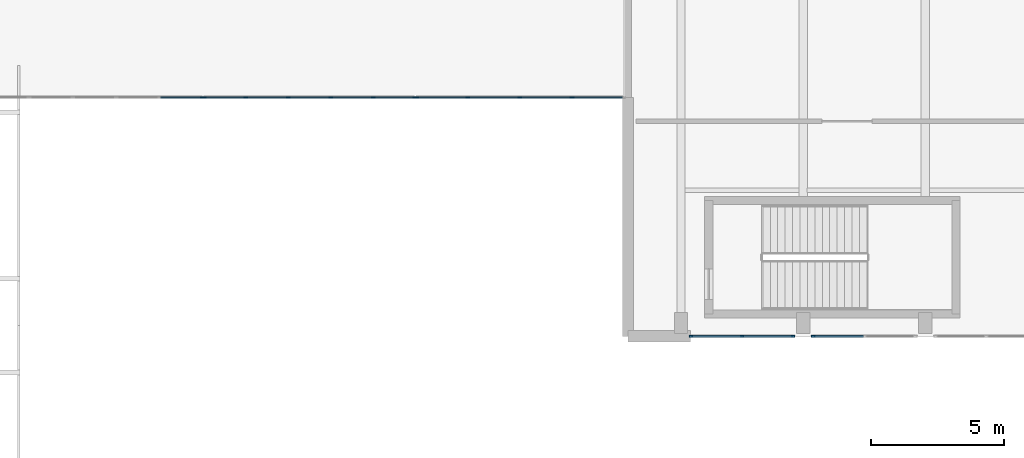
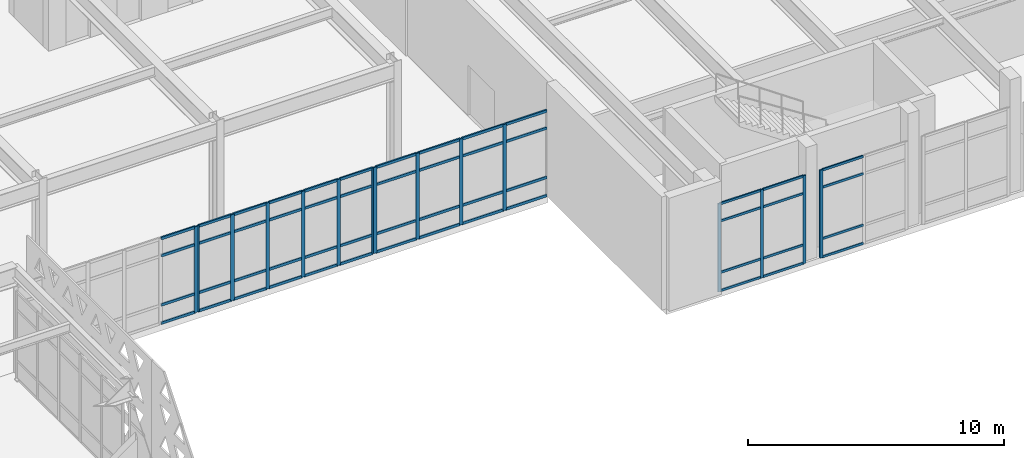
# One storey, part 37 of 84: 67 members, 5 elements without a shape of their own.
"""IFC4 building model written with IfcOpenShell, lengths in metres."""

from ifc_helpers import new_model, si_unit, direction, frame, origin, origin_2d, place, context, subcontext, project, spatial, rectangle, extrude, material, layer, layer_set, material_profile, profile_set, type_object, element, aggregate, save


model = new_model("IFC4")

# Units and contexts
model_context = context("Model", 3, precision=1e-05, world=origin(), true_north=direction((0.0, 1.0)))
body_context = subcontext(model_context, "Body", "Model", "MODEL_VIEW")
ifc_project = project(units=[si_unit("LENGTHUNIT", "METRE"), si_unit("AREAUNIT", "SQUARE_METRE"), si_unit("VOLUMEUNIT", "CUBIC_METRE"), si_unit("PLANEANGLEUNIT", "RADIAN"), si_unit("MASSUNIT", "GRAM", prefix="KILO")], contexts=[model_context])

# Site, building, storey
site_placement = place(None, origin())
site = spatial("IfcSite", under=ifc_project, at=site_placement, CompositionType="ELEMENT")
building_placement = place(site_placement, origin())
building = spatial("IfcBuilding", under=site, at=building_placement, Name="Tlacozan Convention Centre", CompositionType="ELEMENT")
storey_placement = place(building_placement, frame((0.0, 0.0, 6.0)))
storey = spatial("IfcBuildingStorey", under=building, at=storey_placement, Name="L01", CompositionType="ELEMENT", Elevation=6.0)

# Curtain wall, members
ifc_material = material(Name="Dark Bronze Anodised Aluminium", Category="aluminium")
ifc_layer_1 = layer(ifc_material, 0.139892578125)
ifc_layer_set_1 = layer_set([ifc_layer_1], Name="Dark Bronze Anodised Aluminium")
curtain_wall_type_1 = type_object("IfcCurtainWallType", Name="Plenary Foyer L01 Curtain Wall CW11", PredefinedType="NOTDEFINED", material=ifc_layer_set_1)
curtain_wall_1_placement = place(storey_placement, origin())
curtain_wall_1 = element("IfcCurtainWall", 1, at=curtain_wall_1_placement, inside=storey, type_object=curtain_wall_type_1, Name="L01 CW-11 Run 141", PredefinedType="NOTDEFINED")
ifc_material_profile_1 = material_profile(ifc_material, rectangle(XDim=0.06005859375, YDim=0.139892578125, at=origin_2d()), Name="ALU 60x140")
ifc_profile_set_1 = profile_set([ifc_material_profile_1], Name="Dark Bronze Anodised Aluminium")
member_type_1 = type_object("IfcMemberType", Name="Curtain Wall Light Mullion 60x140", PredefinedType="MULLION", material=ifc_profile_set_1)
member_1_placement = place(storey_placement, frame((146.3798828125, 18.0, 0.0), z_axis=(0.0, 0.0, 1.0), x_axis=(0.0, 1.0, 0.0)))
member_1 = element("IfcMember", 2, at=member_1_placement, type_object=member_type_1, Name="CW-11 mullion 1", PredefinedType="MULLION", context=body_context, shape_type="SweptSolid", body=[
    extrude(rectangle(XDim=0.06005859375, YDim=0.139892578125, at=origin_2d()), origin(), (0.0, 0.0, 1.0), 4.199951171875),
])
member_2_placement = place(storey_placement, frame((148.300048828125, 18.0, 0.0), z_axis=(0.0, 0.0, 1.0), x_axis=(0.0, 1.0, 0.0)))
member_2 = element("IfcMember", 3, at=member_2_placement, type_object=member_type_1, Name="CW-11 mullion 2", PredefinedType="MULLION", context=body_context, shape_type="SweptSolid", body=[
    extrude(rectangle(XDim=0.06005859375, YDim=0.139892578125, at=origin_2d()), origin(), (0.0, 0.0, 1.0), 4.199951171875),
])
member_3_placement = place(storey_placement, frame((150.219970703125, 18.0, 0.0), z_axis=(0.0, 0.0, 1.0), x_axis=(0.0, 1.0, 0.0)))
member_3 = element("IfcMember", 4, at=member_3_placement, type_object=member_type_1, Name="CW-11 mullion 3", PredefinedType="MULLION", context=body_context, shape_type="SweptSolid", body=[
    extrude(rectangle(XDim=0.06005859375, YDim=0.139892578125, at=origin_2d()), origin(), (0.0, 0.0, 1.0), 4.199951171875),
])

# Curtain wall, member
curtain_wall_2_placement = place(storey_placement, origin())
curtain_wall_2 = element("IfcCurtainWall", 5, at=curtain_wall_2_placement, inside=storey, type_object=curtain_wall_type_1, Name="L01 CW-11 Run 143", PredefinedType="NOTDEFINED")
member_4_placement = place(storey_placement, frame((150.97998046875, 18.0, 0.0), z_axis=(0.0, 0.0, 1.0), x_axis=(0.0, 1.0, 0.0)))
member_4 = element("IfcMember", 6, at=member_4_placement, type_object=member_type_1, Name="CW-11 mullion 1", PredefinedType="MULLION", context=body_context, shape_type="SweptSolid", body=[
    extrude(rectangle(XDim=0.06005859375, YDim=0.139892578125, at=origin_2d()), origin(), (0.0, 0.0, 1.0), 4.199951171875),
])

# Member
ifc_material_profile_2 = material_profile(ifc_material, rectangle(XDim=0.06005859375, YDim=0.110107421875, at=origin_2d()), Name="ALU 60x110")
ifc_profile_set_2 = profile_set([ifc_material_profile_2], Name="Dark Bronze Anodised Aluminium")
member_type_2 = type_object("IfcMemberType", Name="Curtain Wall Light Transom 60x110", PredefinedType="USERDEFINED", material=ifc_profile_set_2)
member_5_placement = place(storey_placement, frame((146.409912109375, 18.0, 0.030029296875), z_axis=(1.0, 0.0, 0.0), x_axis=(0.0, 1.0, 0.0)))
member_5 = element("IfcMember", 7, at=member_5_placement, type_object=member_type_2, Name="CW-11 transom 1.1", ObjectType="TRANSOM", PredefinedType="USERDEFINED", context=body_context, shape_type="SweptSolid", body=[
    extrude(rectangle(XDim=0.06005859375, YDim=0.110107421875, at=origin_2d()), origin(), (0.0, 0.0, 1.0), 1.860107421875),
])

member_6_placement = place(storey_placement, frame((146.409912109375, 18.0, 0.89990234375), z_axis=(1.0, 0.0, 0.0), x_axis=(0.0, 1.0, 0.0)))
member_6 = element("IfcMember", 8, at=member_6_placement, type_object=member_type_2, Name="CW-11 transom 1.2", ObjectType="TRANSOM", PredefinedType="USERDEFINED", context=body_context, shape_type="SweptSolid", body=[
    extrude(rectangle(XDim=0.06005859375, YDim=0.110107421875, at=origin_2d()), origin(), (0.0, 0.0, 1.0), 1.860107421875),
])

member_7_placement = place(storey_placement, frame((146.409912109375, 18.0, 3.35009765625), z_axis=(1.0, 0.0, 0.0), x_axis=(0.0, 1.0, 0.0)))
member_7 = element("IfcMember", 9, at=member_7_placement, type_object=member_type_2, Name="CW-11 transom 1.3", ObjectType="TRANSOM", PredefinedType="USERDEFINED", context=body_context, shape_type="SweptSolid", body=[
    extrude(rectangle(XDim=0.06005859375, YDim=0.110107421875, at=origin_2d()), origin(), (0.0, 0.0, 1.0), 1.860107421875),
])

member_8_placement = place(storey_placement, frame((146.409912109375, 18.0, 4.169921875), z_axis=(1.0, 0.0, 0.0), x_axis=(0.0, 1.0, 0.0)))
member_8 = element("IfcMember", 10, at=member_8_placement, type_object=member_type_2, Name="CW-11 transom 1.4", ObjectType="TRANSOM", PredefinedType="USERDEFINED", context=body_context, shape_type="SweptSolid", body=[
    extrude(rectangle(XDim=0.06005859375, YDim=0.110107421875, at=origin_2d()), origin(), (0.0, 0.0, 1.0), 1.860107421875),
])

member_9_placement = place(storey_placement, frame((148.330078125, 18.0, 0.030029296875), z_axis=(1.0, 0.0, 0.0), x_axis=(0.0, 1.0, 0.0)))
member_9 = element("IfcMember", 11, at=member_9_placement, type_object=member_type_2, Name="CW-11 transom 2.1", ObjectType="TRANSOM", PredefinedType="USERDEFINED", context=body_context, shape_type="SweptSolid", body=[
    extrude(rectangle(XDim=0.06005859375, YDim=0.110107421875, at=origin_2d()), origin(), (0.0, 0.0, 1.0), 1.85986328125),
])

member_10_placement = place(storey_placement, frame((148.330078125, 18.0, 0.89990234375), z_axis=(1.0, 0.0, 0.0), x_axis=(0.0, 1.0, 0.0)))
member_10 = element("IfcMember", 12, at=member_10_placement, type_object=member_type_2, Name="CW-11 transom 2.2", ObjectType="TRANSOM", PredefinedType="USERDEFINED", context=body_context, shape_type="SweptSolid", body=[
    extrude(rectangle(XDim=0.06005859375, YDim=0.110107421875, at=origin_2d()), origin(), (0.0, 0.0, 1.0), 1.85986328125),
])

member_11_placement = place(storey_placement, frame((148.330078125, 18.0, 3.35009765625), z_axis=(1.0, 0.0, 0.0), x_axis=(0.0, 1.0, 0.0)))
member_11 = element("IfcMember", 13, at=member_11_placement, type_object=member_type_2, Name="CW-11 transom 2.3", ObjectType="TRANSOM", PredefinedType="USERDEFINED", context=body_context, shape_type="SweptSolid", body=[
    extrude(rectangle(XDim=0.06005859375, YDim=0.110107421875, at=origin_2d()), origin(), (0.0, 0.0, 1.0), 1.85986328125),
])

member_12_placement = place(storey_placement, frame((148.330078125, 18.0, 4.169921875), z_axis=(1.0, 0.0, 0.0), x_axis=(0.0, 1.0, 0.0)))
member_12 = element("IfcMember", 14, at=member_12_placement, type_object=member_type_2, Name="CW-11 transom 2.4", ObjectType="TRANSOM", PredefinedType="USERDEFINED", context=body_context, shape_type="SweptSolid", body=[
    extrude(rectangle(XDim=0.06005859375, YDim=0.110107421875, at=origin_2d()), origin(), (0.0, 0.0, 1.0), 1.85986328125),
])

aggregate(curtain_wall_1, [member_1, member_2, member_3, member_5, member_6, member_7, member_8, member_9, member_10, member_11, member_12])

member_13_placement = place(storey_placement, frame((151.010009765625, 18.0, 0.030029296875), z_axis=(1.0, 0.0, 0.0), x_axis=(0.0, 1.0, 0.0)))
member_13 = element("IfcMember", 15, at=member_13_placement, type_object=member_type_2, Name="CW-11 transom 1.1", ObjectType="TRANSOM", PredefinedType="USERDEFINED", context=body_context, shape_type="SweptSolid", body=[
    extrude(rectangle(XDim=0.06005859375, YDim=0.110107421875, at=origin_2d()), origin(), (0.0, 0.0, 1.0), 1.860107421875),
])

member_14_placement = place(storey_placement, frame((151.010009765625, 18.0, 0.89990234375), z_axis=(1.0, 0.0, 0.0), x_axis=(0.0, 1.0, 0.0)))
member_14 = element("IfcMember", 16, at=member_14_placement, type_object=member_type_2, Name="CW-11 transom 1.2", ObjectType="TRANSOM", PredefinedType="USERDEFINED", context=body_context, shape_type="SweptSolid", body=[
    extrude(rectangle(XDim=0.06005859375, YDim=0.110107421875, at=origin_2d()), origin(), (0.0, 0.0, 1.0), 1.860107421875),
])

member_15_placement = place(storey_placement, frame((151.010009765625, 18.0, 3.35009765625), z_axis=(1.0, 0.0, 0.0), x_axis=(0.0, 1.0, 0.0)))
member_15 = element("IfcMember", 17, at=member_15_placement, type_object=member_type_2, Name="CW-11 transom 1.3", ObjectType="TRANSOM", PredefinedType="USERDEFINED", context=body_context, shape_type="SweptSolid", body=[
    extrude(rectangle(XDim=0.06005859375, YDim=0.110107421875, at=origin_2d()), origin(), (0.0, 0.0, 1.0), 1.860107421875),
])

member_16_placement = place(storey_placement, frame((151.010009765625, 18.0, 4.169921875), z_axis=(1.0, 0.0, 0.0), x_axis=(0.0, 1.0, 0.0)))
member_16 = element("IfcMember", 18, at=member_16_placement, type_object=member_type_2, Name="CW-11 transom 1.4", ObjectType="TRANSOM", PredefinedType="USERDEFINED", context=body_context, shape_type="SweptSolid", body=[
    extrude(rectangle(XDim=0.06005859375, YDim=0.110107421875, at=origin_2d()), origin(), (0.0, 0.0, 1.0), 1.860107421875),
])

aggregate(curtain_wall_2, [member_4, member_13, member_14, member_15, member_16])

# Curtain wall, member
ifc_layer_2 = layer(ifc_material, 0.199951171875)
ifc_layer_set_2 = layer_set([ifc_layer_2], Name="Dark Bronze Anodised Aluminium")
curtain_wall_type_2 = type_object("IfcCurtainWallType", Name="Unitised Ballroom Cloister L01 CW08", PredefinedType="NOTDEFINED", material=ifc_layer_set_2)
curtain_wall_3_placement = place(storey_placement, origin())
curtain_wall_3 = element("IfcCurtainWall", 19, at=curtain_wall_3_placement, inside=storey, type_object=curtain_wall_type_2, Name="L01 CW-08 Run 165", PredefinedType="NOTDEFINED")
ifc_material_profile_3 = material_profile(ifc_material, rectangle(XDim=0.06494140625, YDim=0.159912109375, at=origin_2d()), Name="ALU 65x160")
ifc_profile_set_3 = profile_set([ifc_material_profile_3], Name="Dark Bronze Anodised Aluminium")
member_type_3 = type_object("IfcMemberType", Name="Curtain Wall Mullion 65x160", PredefinedType="MULLION", material=ifc_profile_set_3)
member_17_placement = place(storey_placement, frame((127.967529296875, 27.0, 0.0), z_axis=(0.0, 0.0, 1.0), x_axis=(0.0, 1.0, 0.0)))
member_17 = element("IfcMember", 20, at=member_17_placement, type_object=member_type_3, Name="CW-08 mullion 6", PredefinedType="MULLION", context=body_context, shape_type="SweptSolid", body=[
    extrude(rectangle(XDim=0.06494140625, YDim=0.159912109375, at=origin_2d()), origin(), (0.0, 0.0, 1.0), 4.10009765625),
])

# Curtain wall, members
curtain_wall_4_placement = place(storey_placement, origin())
curtain_wall_4 = element("IfcCurtainWall", 21, at=curtain_wall_4_placement, inside=storey, type_object=curtain_wall_type_2, Name="L01 CW-08 Run 166", PredefinedType="NOTDEFINED")
member_18_placement = place(storey_placement, frame((128.032470703125, 27.0, 0.0), z_axis=(0.0, 0.0, 1.0), x_axis=(0.0, 1.0, 0.0)))
member_18 = element("IfcMember", 22, at=member_18_placement, type_object=member_type_3, Name="CW-08 mullion 1", PredefinedType="MULLION", context=body_context, shape_type="SweptSolid", body=[
    extrude(rectangle(XDim=0.06494140625, YDim=0.159912109375, at=origin_2d()), origin(), (0.0, 0.0, 1.0), 4.10009765625),
])
member_19_placement = place(storey_placement, frame((129.60009765625, 27.0, 0.0), z_axis=(0.0, 0.0, 1.0), x_axis=(0.0, 1.0, 0.0)))
member_19 = element("IfcMember", 23, at=member_19_placement, type_object=member_type_3, Name="CW-08 mullion 2", PredefinedType="MULLION", context=body_context, shape_type="SweptSolid", body=[
    extrude(rectangle(XDim=0.06494140625, YDim=0.159912109375, at=origin_2d()), origin(), (0.0, 0.0, 1.0), 4.10009765625),
])
member_20_placement = place(storey_placement, frame((131.199951171875, 27.0, 0.0), z_axis=(0.0, 0.0, 1.0), x_axis=(0.0, 1.0, 0.0)))
member_20 = element("IfcMember", 24, at=member_20_placement, type_object=member_type_3, Name="CW-08 mullion 3", PredefinedType="MULLION", context=body_context, shape_type="SweptSolid", body=[
    extrude(rectangle(XDim=0.06494140625, YDim=0.159912109375, at=origin_2d()), origin(), (0.0, 0.0, 1.0), 4.10009765625),
])
member_21_placement = place(storey_placement, frame((132.800048828125, 27.0, 0.0), z_axis=(0.0, 0.0, 1.0), x_axis=(0.0, 1.0, 0.0)))
member_21 = element("IfcMember", 25, at=member_21_placement, type_object=member_type_3, Name="CW-08 mullion 4", PredefinedType="MULLION", context=body_context, shape_type="SweptSolid", body=[
    extrude(rectangle(XDim=0.06494140625, YDim=0.159912109375, at=origin_2d()), origin(), (0.0, 0.0, 1.0), 4.10009765625),
])
member_22_placement = place(storey_placement, frame((134.39990234375, 27.0, 0.0), z_axis=(0.0, 0.0, 1.0), x_axis=(0.0, 1.0, 0.0)))
member_22 = element("IfcMember", 26, at=member_22_placement, type_object=member_type_3, Name="CW-08 mullion 5", PredefinedType="MULLION", context=body_context, shape_type="SweptSolid", body=[
    extrude(rectangle(XDim=0.06494140625, YDim=0.159912109375, at=origin_2d()), origin(), (0.0, 0.0, 1.0), 4.10009765625),
])
member_23_placement = place(storey_placement, frame((135.967529296875, 27.0, 0.0), z_axis=(0.0, 0.0, 1.0), x_axis=(0.0, 1.0, 0.0)))
member_23 = element("IfcMember", 27, at=member_23_placement, type_object=member_type_3, Name="CW-08 mullion 6", PredefinedType="MULLION", context=body_context, shape_type="SweptSolid", body=[
    extrude(rectangle(XDim=0.06494140625, YDim=0.159912109375, at=origin_2d()), origin(), (0.0, 0.0, 1.0), 4.10009765625),
])

curtain_wall_5_placement = place(storey_placement, origin())
curtain_wall_5 = element("IfcCurtainWall", 28, at=curtain_wall_5_placement, inside=storey, type_object=curtain_wall_type_2, Name="L01 CW-08 Run 167", PredefinedType="NOTDEFINED")
member_24_placement = place(storey_placement, frame((136.032470703125, 27.0, 0.0), z_axis=(0.0, 0.0, 1.0), x_axis=(0.0, 1.0, 0.0)))
member_24 = element("IfcMember", 29, at=member_24_placement, type_object=member_type_3, Name="CW-08 mullion 1", PredefinedType="MULLION", context=body_context, shape_type="SweptSolid", body=[
    extrude(rectangle(XDim=0.06494140625, YDim=0.159912109375, at=origin_2d()), origin(), (0.0, 0.0, 1.0), 4.10009765625),
])
member_25_placement = place(storey_placement, frame((137.96240234375, 27.0, 0.0), z_axis=(0.0, 0.0, 1.0), x_axis=(0.0, 1.0, 0.0)))
member_25 = element("IfcMember", 30, at=member_25_placement, type_object=member_type_3, Name="CW-08 mullion 2", PredefinedType="MULLION", context=body_context, shape_type="SweptSolid", body=[
    extrude(rectangle(XDim=0.06494140625, YDim=0.159912109375, at=origin_2d()), origin(), (0.0, 0.0, 1.0), 4.10009765625),
])
member_26_placement = place(storey_placement, frame((139.925048828125, 27.0, 0.0), z_axis=(0.0, 0.0, 1.0), x_axis=(0.0, 1.0, 0.0)))
member_26 = element("IfcMember", 31, at=member_26_placement, type_object=member_type_3, Name="CW-08 mullion 3", PredefinedType="MULLION", context=body_context, shape_type="SweptSolid", body=[
    extrude(rectangle(XDim=0.06494140625, YDim=0.159912109375, at=origin_2d()), origin(), (0.0, 0.0, 1.0), 4.10009765625),
])
member_27_placement = place(storey_placement, frame((141.887451171875, 27.0, 0.0), z_axis=(0.0, 0.0, 1.0), x_axis=(0.0, 1.0, 0.0)))
member_27 = element("IfcMember", 32, at=member_27_placement, type_object=member_type_3, Name="CW-08 mullion 4", PredefinedType="MULLION", context=body_context, shape_type="SweptSolid", body=[
    extrude(rectangle(XDim=0.06494140625, YDim=0.159912109375, at=origin_2d()), origin(), (0.0, 0.0, 1.0), 4.10009765625),
])

# Member
ifc_material_profile_4 = material_profile(ifc_material, rectangle(XDim=0.06494140625, YDim=0.125, at=origin_2d()), Name="ALU 65x125")
ifc_profile_set_4 = profile_set([ifc_material_profile_4], Name="Dark Bronze Anodised Aluminium")
member_type_4 = type_object("IfcMemberType", Name="Curtain Wall Transom 65x125", PredefinedType="USERDEFINED", material=ifc_profile_set_4)
member_28_placement = place(storey_placement, frame((126.392578125, 27.0, 0.032470703125), z_axis=(1.0, 0.0, 0.0), x_axis=(0.0, 1.0, 0.0)))
member_28 = element("IfcMember", 33, at=member_28_placement, type_object=member_type_4, Name="CW-08 transom 5.1", ObjectType="TRANSOM", PredefinedType="USERDEFINED", context=body_context, shape_type="SweptSolid", body=[
    extrude(rectangle(XDim=0.06494140625, YDim=0.125, at=origin_2d()), origin(), (0.0, 0.0, 1.0), 1.54248046875),
])

member_29_placement = place(storey_placement, frame((126.392578125, 27.0, 0.89990234375), z_axis=(1.0, 0.0, 0.0), x_axis=(0.0, 1.0, 0.0)))
member_29 = element("IfcMember", 34, at=member_29_placement, type_object=member_type_4, Name="CW-08 transom 5.2", ObjectType="TRANSOM", PredefinedType="USERDEFINED", context=body_context, shape_type="SweptSolid", body=[
    extrude(rectangle(XDim=0.06494140625, YDim=0.125, at=origin_2d()), origin(), (0.0, 0.0, 1.0), 1.54248046875),
])

member_30_placement = place(storey_placement, frame((126.392578125, 27.0, 3.25), z_axis=(1.0, 0.0, 0.0), x_axis=(0.0, 1.0, 0.0)))
member_30 = element("IfcMember", 35, at=member_30_placement, type_object=member_type_4, Name="CW-08 transom 5.3", ObjectType="TRANSOM", PredefinedType="USERDEFINED", context=body_context, shape_type="SweptSolid", body=[
    extrude(rectangle(XDim=0.06494140625, YDim=0.125, at=origin_2d()), origin(), (0.0, 0.0, 1.0), 1.54248046875),
])

member_31_placement = place(storey_placement, frame((126.392578125, 27.0, 4.0673828125), z_axis=(1.0, 0.0, 0.0), x_axis=(0.0, 1.0, 0.0)))
member_31 = element("IfcMember", 36, at=member_31_placement, type_object=member_type_4, Name="CW-08 transom 5.4", ObjectType="TRANSOM", PredefinedType="USERDEFINED", context=body_context, shape_type="SweptSolid", body=[
    extrude(rectangle(XDim=0.06494140625, YDim=0.125, at=origin_2d()), origin(), (0.0, 0.0, 1.0), 1.54248046875),
])

aggregate(curtain_wall_3, [member_17, member_28, member_29, member_30, member_31])

member_32_placement = place(storey_placement, frame((128.06494140625, 27.0, 0.032470703125), z_axis=(1.0, 0.0, 0.0), x_axis=(0.0, 1.0, 0.0)))
member_32 = element("IfcMember", 37, at=member_32_placement, type_object=member_type_4, Name="CW-08 transom 1.1", ObjectType="TRANSOM", PredefinedType="USERDEFINED", context=body_context, shape_type="SweptSolid", body=[
    extrude(rectangle(XDim=0.06494140625, YDim=0.125, at=origin_2d()), origin(), (0.0, 0.0, 1.0), 1.50244140625),
])

member_33_placement = place(storey_placement, frame((128.06494140625, 27.0, 0.89990234375), z_axis=(1.0, 0.0, 0.0), x_axis=(0.0, 1.0, 0.0)))
member_33 = element("IfcMember", 38, at=member_33_placement, type_object=member_type_4, Name="CW-08 transom 1.2", ObjectType="TRANSOM", PredefinedType="USERDEFINED", context=body_context, shape_type="SweptSolid", body=[
    extrude(rectangle(XDim=0.06494140625, YDim=0.125, at=origin_2d()), origin(), (0.0, 0.0, 1.0), 1.50244140625),
])

member_34_placement = place(storey_placement, frame((128.06494140625, 27.0, 3.25), z_axis=(1.0, 0.0, 0.0), x_axis=(0.0, 1.0, 0.0)))
member_34 = element("IfcMember", 39, at=member_34_placement, type_object=member_type_4, Name="CW-08 transom 1.3", ObjectType="TRANSOM", PredefinedType="USERDEFINED", context=body_context, shape_type="SweptSolid", body=[
    extrude(rectangle(XDim=0.06494140625, YDim=0.125, at=origin_2d()), origin(), (0.0, 0.0, 1.0), 1.50244140625),
])

member_35_placement = place(storey_placement, frame((128.06494140625, 27.0, 4.0673828125), z_axis=(1.0, 0.0, 0.0), x_axis=(0.0, 1.0, 0.0)))
member_35 = element("IfcMember", 40, at=member_35_placement, type_object=member_type_4, Name="CW-08 transom 1.4", ObjectType="TRANSOM", PredefinedType="USERDEFINED", context=body_context, shape_type="SweptSolid", body=[
    extrude(rectangle(XDim=0.06494140625, YDim=0.125, at=origin_2d()), origin(), (0.0, 0.0, 1.0), 1.50244140625),
])

member_36_placement = place(storey_placement, frame((129.632568359375, 27.0, 0.032470703125), z_axis=(1.0, 0.0, 0.0), x_axis=(0.0, 1.0, 0.0)))
member_36 = element("IfcMember", 41, at=member_36_placement, type_object=member_type_4, Name="CW-08 transom 2.1", ObjectType="TRANSOM", PredefinedType="USERDEFINED", context=body_context, shape_type="SweptSolid", body=[
    extrude(rectangle(XDim=0.06494140625, YDim=0.125, at=origin_2d()), origin(), (0.0, 0.0, 1.0), 1.534912109375),
])

member_37_placement = place(storey_placement, frame((129.632568359375, 27.0, 0.89990234375), z_axis=(1.0, 0.0, 0.0), x_axis=(0.0, 1.0, 0.0)))
member_37 = element("IfcMember", 42, at=member_37_placement, type_object=member_type_4, Name="CW-08 transom 2.2", ObjectType="TRANSOM", PredefinedType="USERDEFINED", context=body_context, shape_type="SweptSolid", body=[
    extrude(rectangle(XDim=0.06494140625, YDim=0.125, at=origin_2d()), origin(), (0.0, 0.0, 1.0), 1.534912109375),
])

member_38_placement = place(storey_placement, frame((129.632568359375, 27.0, 3.25), z_axis=(1.0, 0.0, 0.0), x_axis=(0.0, 1.0, 0.0)))
member_38 = element("IfcMember", 43, at=member_38_placement, type_object=member_type_4, Name="CW-08 transom 2.3", ObjectType="TRANSOM", PredefinedType="USERDEFINED", context=body_context, shape_type="SweptSolid", body=[
    extrude(rectangle(XDim=0.06494140625, YDim=0.125, at=origin_2d()), origin(), (0.0, 0.0, 1.0), 1.534912109375),
])

member_39_placement = place(storey_placement, frame((129.632568359375, 27.0, 4.0673828125), z_axis=(1.0, 0.0, 0.0), x_axis=(0.0, 1.0, 0.0)))
member_39 = element("IfcMember", 44, at=member_39_placement, type_object=member_type_4, Name="CW-08 transom 2.4", ObjectType="TRANSOM", PredefinedType="USERDEFINED", context=body_context, shape_type="SweptSolid", body=[
    extrude(rectangle(XDim=0.06494140625, YDim=0.125, at=origin_2d()), origin(), (0.0, 0.0, 1.0), 1.534912109375),
])

member_40_placement = place(storey_placement, frame((131.232421875, 27.0, 0.032470703125), z_axis=(1.0, 0.0, 0.0), x_axis=(0.0, 1.0, 0.0)))
member_40 = element("IfcMember", 45, at=member_40_placement, type_object=member_type_4, Name="CW-08 transom 3.1", ObjectType="TRANSOM", PredefinedType="USERDEFINED", context=body_context, shape_type="SweptSolid", body=[
    extrude(rectangle(XDim=0.06494140625, YDim=0.125, at=origin_2d()), origin(), (0.0, 0.0, 1.0), 1.53515625),
])

member_41_placement = place(storey_placement, frame((131.232421875, 27.0, 0.89990234375), z_axis=(1.0, 0.0, 0.0), x_axis=(0.0, 1.0, 0.0)))
member_41 = element("IfcMember", 46, at=member_41_placement, type_object=member_type_4, Name="CW-08 transom 3.2", ObjectType="TRANSOM", PredefinedType="USERDEFINED", context=body_context, shape_type="SweptSolid", body=[
    extrude(rectangle(XDim=0.06494140625, YDim=0.125, at=origin_2d()), origin(), (0.0, 0.0, 1.0), 1.53515625),
])

member_42_placement = place(storey_placement, frame((131.232421875, 27.0, 3.25), z_axis=(1.0, 0.0, 0.0), x_axis=(0.0, 1.0, 0.0)))
member_42 = element("IfcMember", 47, at=member_42_placement, type_object=member_type_4, Name="CW-08 transom 3.3", ObjectType="TRANSOM", PredefinedType="USERDEFINED", context=body_context, shape_type="SweptSolid", body=[
    extrude(rectangle(XDim=0.06494140625, YDim=0.125, at=origin_2d()), origin(), (0.0, 0.0, 1.0), 1.53515625),
])

member_43_placement = place(storey_placement, frame((131.232421875, 27.0, 4.0673828125), z_axis=(1.0, 0.0, 0.0), x_axis=(0.0, 1.0, 0.0)))
member_43 = element("IfcMember", 48, at=member_43_placement, type_object=member_type_4, Name="CW-08 transom 3.4", ObjectType="TRANSOM", PredefinedType="USERDEFINED", context=body_context, shape_type="SweptSolid", body=[
    extrude(rectangle(XDim=0.06494140625, YDim=0.125, at=origin_2d()), origin(), (0.0, 0.0, 1.0), 1.53515625),
])

member_44_placement = place(storey_placement, frame((132.83251953125, 27.0, 0.032470703125), z_axis=(1.0, 0.0, 0.0), x_axis=(0.0, 1.0, 0.0)))
member_44 = element("IfcMember", 49, at=member_44_placement, type_object=member_type_4, Name="CW-08 transom 4.1", ObjectType="TRANSOM", PredefinedType="USERDEFINED", context=body_context, shape_type="SweptSolid", body=[
    extrude(rectangle(XDim=0.06494140625, YDim=0.125, at=origin_2d()), origin(), (0.0, 0.0, 1.0), 1.534912109375),
])

member_45_placement = place(storey_placement, frame((132.83251953125, 27.0, 0.89990234375), z_axis=(1.0, 0.0, 0.0), x_axis=(0.0, 1.0, 0.0)))
member_45 = element("IfcMember", 50, at=member_45_placement, type_object=member_type_4, Name="CW-08 transom 4.2", ObjectType="TRANSOM", PredefinedType="USERDEFINED", context=body_context, shape_type="SweptSolid", body=[
    extrude(rectangle(XDim=0.06494140625, YDim=0.125, at=origin_2d()), origin(), (0.0, 0.0, 1.0), 1.534912109375),
])

member_46_placement = place(storey_placement, frame((132.83251953125, 27.0, 3.25), z_axis=(1.0, 0.0, 0.0), x_axis=(0.0, 1.0, 0.0)))
member_46 = element("IfcMember", 51, at=member_46_placement, type_object=member_type_4, Name="CW-08 transom 4.3", ObjectType="TRANSOM", PredefinedType="USERDEFINED", context=body_context, shape_type="SweptSolid", body=[
    extrude(rectangle(XDim=0.06494140625, YDim=0.125, at=origin_2d()), origin(), (0.0, 0.0, 1.0), 1.534912109375),
])

member_47_placement = place(storey_placement, frame((132.83251953125, 27.0, 4.0673828125), z_axis=(1.0, 0.0, 0.0), x_axis=(0.0, 1.0, 0.0)))
member_47 = element("IfcMember", 52, at=member_47_placement, type_object=member_type_4, Name="CW-08 transom 4.4", ObjectType="TRANSOM", PredefinedType="USERDEFINED", context=body_context, shape_type="SweptSolid", body=[
    extrude(rectangle(XDim=0.06494140625, YDim=0.125, at=origin_2d()), origin(), (0.0, 0.0, 1.0), 1.534912109375),
])

member_48_placement = place(storey_placement, frame((134.4326171875, 27.0, 0.032470703125), z_axis=(1.0, 0.0, 0.0), x_axis=(0.0, 1.0, 0.0)))
member_48 = element("IfcMember", 53, at=member_48_placement, type_object=member_type_4, Name="CW-08 transom 5.1", ObjectType="TRANSOM", PredefinedType="USERDEFINED", context=body_context, shape_type="SweptSolid", body=[
    extrude(rectangle(XDim=0.06494140625, YDim=0.125, at=origin_2d()), origin(), (0.0, 0.0, 1.0), 1.50244140625),
])

member_49_placement = place(storey_placement, frame((134.4326171875, 27.0, 0.89990234375), z_axis=(1.0, 0.0, 0.0), x_axis=(0.0, 1.0, 0.0)))
member_49 = element("IfcMember", 54, at=member_49_placement, type_object=member_type_4, Name="CW-08 transom 5.2", ObjectType="TRANSOM", PredefinedType="USERDEFINED", context=body_context, shape_type="SweptSolid", body=[
    extrude(rectangle(XDim=0.06494140625, YDim=0.125, at=origin_2d()), origin(), (0.0, 0.0, 1.0), 1.50244140625),
])

member_50_placement = place(storey_placement, frame((134.4326171875, 27.0, 3.25), z_axis=(1.0, 0.0, 0.0), x_axis=(0.0, 1.0, 0.0)))
member_50 = element("IfcMember", 55, at=member_50_placement, type_object=member_type_4, Name="CW-08 transom 5.3", ObjectType="TRANSOM", PredefinedType="USERDEFINED", context=body_context, shape_type="SweptSolid", body=[
    extrude(rectangle(XDim=0.06494140625, YDim=0.125, at=origin_2d()), origin(), (0.0, 0.0, 1.0), 1.50244140625),
])

member_51_placement = place(storey_placement, frame((134.4326171875, 27.0, 4.0673828125), z_axis=(1.0, 0.0, 0.0), x_axis=(0.0, 1.0, 0.0)))
member_51 = element("IfcMember", 56, at=member_51_placement, type_object=member_type_4, Name="CW-08 transom 5.4", ObjectType="TRANSOM", PredefinedType="USERDEFINED", context=body_context, shape_type="SweptSolid", body=[
    extrude(rectangle(XDim=0.06494140625, YDim=0.125, at=origin_2d()), origin(), (0.0, 0.0, 1.0), 1.50244140625),
])

aggregate(curtain_wall_4, [member_18, member_19, member_20, member_21, member_22, member_23, member_32, member_33, member_34, member_35, member_36, member_37, member_38, member_39, member_40, member_41, member_42, member_43, member_44, member_45, member_46, member_47, member_48, member_49, member_50, member_51])

member_52_placement = place(storey_placement, frame((136.06494140625, 27.0, 0.032470703125), z_axis=(1.0, 0.0, 0.0), x_axis=(0.0, 1.0, 0.0)))
member_52 = element("IfcMember", 57, at=member_52_placement, type_object=member_type_4, Name="CW-08 transom 1.1", ObjectType="TRANSOM", PredefinedType="USERDEFINED", context=body_context, shape_type="SweptSolid", body=[
    extrude(rectangle(XDim=0.06494140625, YDim=0.125, at=origin_2d()), origin(), (0.0, 0.0, 1.0), 1.864990234375),
])

member_53_placement = place(storey_placement, frame((136.06494140625, 27.0, 0.89990234375), z_axis=(1.0, 0.0, 0.0), x_axis=(0.0, 1.0, 0.0)))
member_53 = element("IfcMember", 58, at=member_53_placement, type_object=member_type_4, Name="CW-08 transom 1.2", ObjectType="TRANSOM", PredefinedType="USERDEFINED", context=body_context, shape_type="SweptSolid", body=[
    extrude(rectangle(XDim=0.06494140625, YDim=0.125, at=origin_2d()), origin(), (0.0, 0.0, 1.0), 1.864990234375),
])

member_54_placement = place(storey_placement, frame((136.06494140625, 27.0, 3.25), z_axis=(1.0, 0.0, 0.0), x_axis=(0.0, 1.0, 0.0)))
member_54 = element("IfcMember", 59, at=member_54_placement, type_object=member_type_4, Name="CW-08 transom 1.3", ObjectType="TRANSOM", PredefinedType="USERDEFINED", context=body_context, shape_type="SweptSolid", body=[
    extrude(rectangle(XDim=0.06494140625, YDim=0.125, at=origin_2d()), origin(), (0.0, 0.0, 1.0), 1.864990234375),
])

member_55_placement = place(storey_placement, frame((136.06494140625, 27.0, 4.0673828125), z_axis=(1.0, 0.0, 0.0), x_axis=(0.0, 1.0, 0.0)))
member_55 = element("IfcMember", 60, at=member_55_placement, type_object=member_type_4, Name="CW-08 transom 1.4", ObjectType="TRANSOM", PredefinedType="USERDEFINED", context=body_context, shape_type="SweptSolid", body=[
    extrude(rectangle(XDim=0.06494140625, YDim=0.125, at=origin_2d()), origin(), (0.0, 0.0, 1.0), 1.864990234375),
])

member_56_placement = place(storey_placement, frame((137.9951171875, 27.0, 0.032470703125), z_axis=(1.0, 0.0, 0.0), x_axis=(0.0, 1.0, 0.0)))
member_56 = element("IfcMember", 61, at=member_56_placement, type_object=member_type_4, Name="CW-08 transom 2.1", ObjectType="TRANSOM", PredefinedType="USERDEFINED", context=body_context, shape_type="SweptSolid", body=[
    extrude(rectangle(XDim=0.06494140625, YDim=0.125, at=origin_2d()), origin(), (0.0, 0.0, 1.0), 1.8974609375),
])

member_57_placement = place(storey_placement, frame((137.9951171875, 27.0, 0.89990234375), z_axis=(1.0, 0.0, 0.0), x_axis=(0.0, 1.0, 0.0)))
member_57 = element("IfcMember", 62, at=member_57_placement, type_object=member_type_4, Name="CW-08 transom 2.2", ObjectType="TRANSOM", PredefinedType="USERDEFINED", context=body_context, shape_type="SweptSolid", body=[
    extrude(rectangle(XDim=0.06494140625, YDim=0.125, at=origin_2d()), origin(), (0.0, 0.0, 1.0), 1.8974609375),
])

member_58_placement = place(storey_placement, frame((137.9951171875, 27.0, 3.25), z_axis=(1.0, 0.0, 0.0), x_axis=(0.0, 1.0, 0.0)))
member_58 = element("IfcMember", 63, at=member_58_placement, type_object=member_type_4, Name="CW-08 transom 2.3", ObjectType="TRANSOM", PredefinedType="USERDEFINED", context=body_context, shape_type="SweptSolid", body=[
    extrude(rectangle(XDim=0.06494140625, YDim=0.125, at=origin_2d()), origin(), (0.0, 0.0, 1.0), 1.8974609375),
])

member_59_placement = place(storey_placement, frame((137.9951171875, 27.0, 4.0673828125), z_axis=(1.0, 0.0, 0.0), x_axis=(0.0, 1.0, 0.0)))
member_59 = element("IfcMember", 64, at=member_59_placement, type_object=member_type_4, Name="CW-08 transom 2.4", ObjectType="TRANSOM", PredefinedType="USERDEFINED", context=body_context, shape_type="SweptSolid", body=[
    extrude(rectangle(XDim=0.06494140625, YDim=0.125, at=origin_2d()), origin(), (0.0, 0.0, 1.0), 1.8974609375),
])

member_60_placement = place(storey_placement, frame((139.95751953125, 27.0, 0.032470703125), z_axis=(1.0, 0.0, 0.0), x_axis=(0.0, 1.0, 0.0)))
member_60 = element("IfcMember", 65, at=member_60_placement, type_object=member_type_4, Name="CW-08 transom 3.1", ObjectType="TRANSOM", PredefinedType="USERDEFINED", context=body_context, shape_type="SweptSolid", body=[
    extrude(rectangle(XDim=0.06494140625, YDim=0.125, at=origin_2d()), origin(), (0.0, 0.0, 1.0), 1.8974609375),
])

member_61_placement = place(storey_placement, frame((139.95751953125, 27.0, 0.89990234375), z_axis=(1.0, 0.0, 0.0), x_axis=(0.0, 1.0, 0.0)))
member_61 = element("IfcMember", 66, at=member_61_placement, type_object=member_type_4, Name="CW-08 transom 3.2", ObjectType="TRANSOM", PredefinedType="USERDEFINED", context=body_context, shape_type="SweptSolid", body=[
    extrude(rectangle(XDim=0.06494140625, YDim=0.125, at=origin_2d()), origin(), (0.0, 0.0, 1.0), 1.8974609375),
])

member_62_placement = place(storey_placement, frame((139.95751953125, 27.0, 3.25), z_axis=(1.0, 0.0, 0.0), x_axis=(0.0, 1.0, 0.0)))
member_62 = element("IfcMember", 67, at=member_62_placement, type_object=member_type_4, Name="CW-08 transom 3.3", ObjectType="TRANSOM", PredefinedType="USERDEFINED", context=body_context, shape_type="SweptSolid", body=[
    extrude(rectangle(XDim=0.06494140625, YDim=0.125, at=origin_2d()), origin(), (0.0, 0.0, 1.0), 1.8974609375),
])

member_63_placement = place(storey_placement, frame((139.95751953125, 27.0, 4.0673828125), z_axis=(1.0, 0.0, 0.0), x_axis=(0.0, 1.0, 0.0)))
member_63 = element("IfcMember", 68, at=member_63_placement, type_object=member_type_4, Name="CW-08 transom 3.4", ObjectType="TRANSOM", PredefinedType="USERDEFINED", context=body_context, shape_type="SweptSolid", body=[
    extrude(rectangle(XDim=0.06494140625, YDim=0.125, at=origin_2d()), origin(), (0.0, 0.0, 1.0), 1.8974609375),
])

member_64_placement = place(storey_placement, frame((141.919921875, 27.0, 0.032470703125), z_axis=(1.0, 0.0, 0.0), x_axis=(0.0, 1.0, 0.0)))
member_64 = element("IfcMember", 69, at=member_64_placement, type_object=member_type_4, Name="CW-08 transom 4.1", ObjectType="TRANSOM", PredefinedType="USERDEFINED", context=body_context, shape_type="SweptSolid", body=[
    extrude(rectangle(XDim=0.06494140625, YDim=0.125, at=origin_2d()), origin(), (0.0, 0.0, 1.0), 1.864990234375),
])

member_65_placement = place(storey_placement, frame((141.919921875, 27.0, 0.89990234375), z_axis=(1.0, 0.0, 0.0), x_axis=(0.0, 1.0, 0.0)))
member_65 = element("IfcMember", 70, at=member_65_placement, type_object=member_type_4, Name="CW-08 transom 4.2", ObjectType="TRANSOM", PredefinedType="USERDEFINED", context=body_context, shape_type="SweptSolid", body=[
    extrude(rectangle(XDim=0.06494140625, YDim=0.125, at=origin_2d()), origin(), (0.0, 0.0, 1.0), 1.864990234375),
])

member_66_placement = place(storey_placement, frame((141.919921875, 27.0, 3.25), z_axis=(1.0, 0.0, 0.0), x_axis=(0.0, 1.0, 0.0)))
member_66 = element("IfcMember", 71, at=member_66_placement, type_object=member_type_4, Name="CW-08 transom 4.3", ObjectType="TRANSOM", PredefinedType="USERDEFINED", context=body_context, shape_type="SweptSolid", body=[
    extrude(rectangle(XDim=0.06494140625, YDim=0.125, at=origin_2d()), origin(), (0.0, 0.0, 1.0), 1.864990234375),
])

member_67_placement = place(storey_placement, frame((141.919921875, 27.0, 4.0673828125), z_axis=(1.0, 0.0, 0.0), x_axis=(0.0, 1.0, 0.0)))
member_67 = element("IfcMember", 72, at=member_67_placement, type_object=member_type_4, Name="CW-08 transom 4.4", ObjectType="TRANSOM", PredefinedType="USERDEFINED", context=body_context, shape_type="SweptSolid", body=[
    extrude(rectangle(XDim=0.06494140625, YDim=0.125, at=origin_2d()), origin(), (0.0, 0.0, 1.0), 1.864990234375),
])

aggregate(curtain_wall_5, [member_24, member_25, member_26, member_27, member_52, member_53, member_54, member_55, member_56, member_57, member_58, member_59, member_60, member_61, member_62, member_63, member_64, member_65, member_66, member_67])

save(model, "model.ifc")
